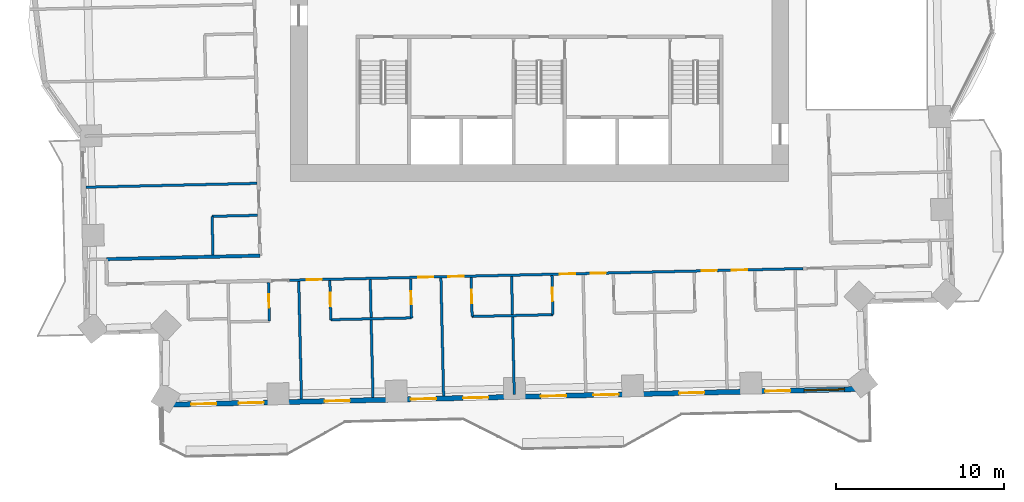
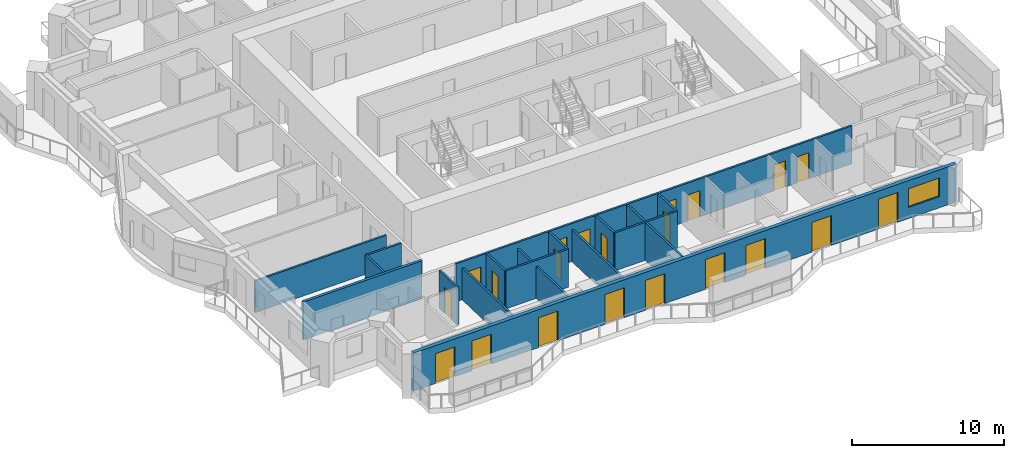
# One storey, part 6 of 16: 21 doors, 17 walls, 1 window, 22 openings.
"""IFC4 building model written with IfcOpenShell, lengths in metres."""

from ifc_helpers import new_model, si_unit, direction, frame, frame_2d, origin, place, context, subcontext, project, spatial, rectangle, extrude, material, layer, layer_set, type_object, element, fill, save


model = new_model("IFC4")

# Units and contexts
model_context = context("Model", 3, precision=1e-05, world=origin(), true_north=direction((0.0, 1.0)))
body_context = subcontext(model_context, "Body", "Model", "MODEL_VIEW")
ifc_project = project(units=[si_unit("LENGTHUNIT", "METRE"), si_unit("AREAUNIT", "SQUARE_METRE"), si_unit("VOLUMEUNIT", "CUBIC_METRE"), si_unit("PLANEANGLEUNIT", "RADIAN"), si_unit("MASSUNIT", "GRAM", prefix="KILO")], contexts=[model_context])

# Site, building, storey
site_placement = place(None, origin())
site = spatial("IfcSite", under=ifc_project, at=site_placement, CompositionType="ELEMENT")
building_placement = place(site_placement, origin())
building = spatial("IfcBuilding", under=site, at=building_placement, Name="Mangrove Gate Tower", CompositionType="ELEMENT")
storey_placement = place(building_placement, frame((0.0, 0.0, 130.10009765625)))
storey = spatial("IfcBuildingStorey", under=building, at=storey_placement, Name="L32", CompositionType="ELEMENT", Elevation=130.10009765625)

# Wall
ifc_material_1 = material(Name="Gypsum board on steel stud, EI 60", Category="steel")
ifc_layer_1 = layer(ifc_material_1, 0.199951171875)
ifc_layer_set_1 = layer_set([ifc_layer_1], Name="Corridor wall EI 60")
wall_type_1 = type_object("IfcWallType", Name="Corridor wall EI 60", PredefinedType="PARTITIONING", material=ifc_layer_set_1)
wall_1_placement = place(storey_placement, frame((-25.742919921875, -16.422119140625, 0.0), z_axis=(0.0, 0.0, 1.0), x_axis=(0.999741076645, 0.022754772455, 0.0)))
element("IfcWall", 1, at=wall_1_placement, inside=storey, type_object=wall_type_1, Name="WALL-L32-036", PredefinedType="PARTITIONING", context=body_context, shape_type="SweptSolid", body=[
    extrude(rectangle(XDim=9.141357421875, YDim=0.199951171875, at=frame_2d((4.57080078125, 0.0))), origin(), (0.0, 0.0, 1.0), 3.0498046875),
])

# Wall, openings, doors, window
ifc_material_2 = material(Name="Limestone", Category="masonry")
ifc_layer_2 = layer(ifc_material_2, 0.0400390625, Name="Limestone cladding")
ifc_material_3 = material(Name="Ventilated air gap")
ifc_layer_3 = layer(ifc_material_3, 0.0400390625, Name="Ventilated cavity")
ifc_material_4 = material(Name="Mineral wool insulation")
ifc_layer_4 = layer(ifc_material_4, 0.06005859375, Name="Insulation")
ifc_material_5 = material(Name="Breather membrane")
ifc_layer_5 = layer(ifc_material_5, 0.001953125, Name="Breather membrane")
ifc_material_6 = material(Name="Concrete C20/25 blockwork", Category="masonry")
ifc_layer_6 = layer(ifc_material_6, 0.14990234375, Name="Blockwork backing wall")
ifc_material_7 = material(Name="Gypsum plaster")
ifc_layer_7 = layer(ifc_material_7, 0.008056640625, Name="Internal plaster")
ifc_layer_set_2 = layer_set([ifc_layer_2, ifc_layer_3, ifc_layer_4, ifc_layer_5, ifc_layer_6, ifc_layer_7], Name="External wall 300 limestone cladding")
wall_type_2 = type_object("IfcWallType", Name="External wall 300 limestone cladding", PredefinedType="SOLIDWALL", material=ifc_layer_set_2)
wall_2_placement = place(storey_placement, frame((-22.39599609375, -25.077880859375, 0.0), z_axis=(0.0, 0.0, 1.0), x_axis=(0.99974279854, 0.022678993965, 0.0)))
wall_2 = element("IfcWall", 2, at=wall_2_placement, inside=storey, type_object=wall_type_2, Name="WALL-L32-S13", PredefinedType="SOLIDWALL", context=body_context, shape_type="SweptSolid", body=[
    extrude(rectangle(XDim=41.84375, YDim=0.300048828125, at=frame_2d((20.921875, 0.0))), origin(), (0.0, 0.0, 1.0), 3.0498046875),
])
opening_1_placement = place(wall_2_placement, frame((1.696044921875, 0.0, 0.0)))
opening_1 = element("IfcOpeningElement", 3, at=opening_1_placement, cuts=wall_2, Name="Opening BD1", PredefinedType="OPENING", context=body_context, shape_type="SweptSolid", body=[
    extrude(rectangle(XDim=1.5, YDim=2.39990234375, at=frame_2d((0.75, 1.199951171875))), frame((0.0, 0.159912109375, 0.0), z_axis=(0.0, -1.0, 0.0), x_axis=(1.0, 0.0, 0.0)), (0.0, 0.0, 1.0), 0.320068359375),
])
opening_2_placement = place(wall_2_placement, frame((4.511962890625, 0.0, 0.0)))
opening_2 = element("IfcOpeningElement", 4, at=opening_2_placement, cuts=wall_2, Name="Opening BD1", PredefinedType="OPENING", context=body_context, shape_type="SweptSolid", body=[
    extrude(rectangle(XDim=1.5, YDim=2.39990234375, at=frame_2d((0.75, 1.199951171875))), frame((0.0, 0.159912109375, 0.0), z_axis=(0.0, -1.0, 0.0), x_axis=(1.0, 0.0, 0.0)), (0.0, 0.0, 1.0), 0.320068359375),
])
opening_3_placement = place(wall_2_placement, frame((9.625, 0.0, 0.0)))
opening_3 = element("IfcOpeningElement", 5, at=opening_3_placement, cuts=wall_2, Name="Opening BD1", PredefinedType="OPENING", context=body_context, shape_type="SweptSolid", body=[
    extrude(rectangle(XDim=1.5, YDim=2.39990234375, at=frame_2d((0.75, 1.199951171875))), frame((0.0, 0.159912109375, 0.0), z_axis=(0.0, -1.0, 0.0), x_axis=(1.0, 0.0, 0.0)), (0.0, 0.0, 1.0), 0.320068359375),
])
opening_4_placement = place(wall_2_placement, frame((14.7490234375, 0.0, 0.0)))
opening_4 = element("IfcOpeningElement", 6, at=opening_4_placement, cuts=wall_2, Name="Opening BD1", PredefinedType="OPENING", context=body_context, shape_type="SweptSolid", body=[
    extrude(rectangle(XDim=1.5, YDim=2.39990234375, at=frame_2d((0.75, 1.199951171875))), frame((0.0, 0.159912109375, 0.0), z_axis=(0.0, -1.0, 0.0), x_axis=(1.0, 0.0, 0.0)), (0.0, 0.0, 1.0), 0.320068359375),
])
opening_5_placement = place(wall_2_placement, frame((17.861083984375, 0.0, 0.0)))
opening_5 = element("IfcOpeningElement", 7, at=opening_5_placement, cuts=wall_2, Name="Opening BD1", PredefinedType="OPENING", context=body_context, shape_type="SweptSolid", body=[
    extrude(rectangle(XDim=1.5, YDim=2.39990234375, at=frame_2d((0.75, 1.199951171875))), frame((0.0, 0.159912109375, 0.0), z_axis=(0.0, -1.0, 0.0), x_axis=(1.0, 0.0, 0.0)), (0.0, 0.0, 1.0), 0.320068359375),
])
opening_6_placement = place(wall_2_placement, frame((22.486083984375, 0.0, 0.0)))
opening_6 = element("IfcOpeningElement", 8, at=opening_6_placement, cuts=wall_2, Name="Opening BD1", PredefinedType="OPENING", context=body_context, shape_type="SweptSolid", body=[
    extrude(rectangle(XDim=1.5, YDim=2.39990234375, at=frame_2d((0.75, 1.199951171875))), frame((0.0, 0.159912109375, 0.0), z_axis=(0.0, -1.0, 0.0), x_axis=(1.0, 0.0, 0.0)), (0.0, 0.0, 1.0), 0.320068359375),
])
opening_7_placement = place(wall_2_placement, frame((25.597900390625, 0.0, 0.0)))
opening_7 = element("IfcOpeningElement", 9, at=opening_7_placement, cuts=wall_2, Name="Opening BD1", PredefinedType="OPENING", context=body_context, shape_type="SweptSolid", body=[
    extrude(rectangle(XDim=1.5, YDim=2.39990234375, at=frame_2d((0.75, 1.199951171875))), frame((0.0, 0.159912109375, 0.0), z_axis=(0.0, -1.0, 0.0), x_axis=(1.0, 0.0, 0.0)), (0.0, 0.0, 1.0), 0.320068359375),
])
opening_8_placement = place(wall_2_placement, frame((30.699951171875, 0.0, 0.0)))
opening_8 = element("IfcOpeningElement", 10, at=opening_8_placement, cuts=wall_2, Name="Opening BD1", PredefinedType="OPENING", context=body_context, shape_type="SweptSolid", body=[
    extrude(rectangle(XDim=1.5, YDim=2.39990234375, at=frame_2d((0.75, 1.199951171875))), frame((0.0, 0.159912109375, 0.0), z_axis=(0.0, -1.0, 0.0), x_axis=(1.0, 0.0, 0.0)), (0.0, 0.0, 1.0), 0.320068359375),
])
opening_9_placement = place(wall_2_placement, frame((35.81005859375, 0.0, 0.0)))
opening_9 = element("IfcOpeningElement", 11, at=opening_9_placement, cuts=wall_2, Name="Opening BD1", PredefinedType="OPENING", context=body_context, shape_type="SweptSolid", body=[
    extrude(rectangle(XDim=1.5, YDim=2.39990234375, at=frame_2d((0.75, 1.199951171875))), frame((0.0, 0.159912109375, 0.0), z_axis=(0.0, -1.0, 0.0), x_axis=(1.0, 0.0, 0.0)), (0.0, 0.0, 1.0), 0.320068359375),
])
opening_10_placement = place(wall_2_placement, frame((38.1240234375, 0.0, 0.89990234375)))
opening_10 = element("IfcOpeningElement", 12, at=opening_10_placement, cuts=wall_2, Name="Opening W2", PredefinedType="OPENING", context=body_context, shape_type="SweptSolid", body=[
    extrude(rectangle(XDim=2.39990234375, YDim=1.5, at=frame_2d((1.199951171875, 0.75))), frame((0.0, 0.159912109375, 0.0), z_axis=(0.0, -1.0, 0.0), x_axis=(1.0, 0.0, 0.0)), (0.0, 0.0, 1.0), 0.320068359375),
])
ifc_material_8 = material(Name="Aluminium frame with laminated clear glass", Category="aluminium")
door_type_1 = type_object("IfcDoorType", Name="Balcony sliding door 1500x2400", OperationType="SLIDING_TO_LEFT", PredefinedType="DOOR", material=ifc_material_8)
door_1_placement = place(opening_1_placement, origin())
door_1 = element("IfcDoor", 13, at=door_1_placement, inside=storey, type_object=door_type_1, Name="DOOR-L32-S13-1", OperationType="SLIDING_TO_LEFT", OverallHeight=2.39990234375, OverallWidth=1.5, PredefinedType="DOOR", context=body_context, shape_type="SweptSolid", body=[
    extrude(rectangle(XDim=1.5, YDim=2.39990234375, at=frame_2d((0.75, 1.199951171875))), frame((0.0, 0.02490234375, 0.0), z_axis=(0.0, -1.0, 0.0), x_axis=(1.0, 0.0, 0.0)), (0.0, 0.0, 1.0), 0.050048828125),
])
fill(opening_1, door_1)
door_2_placement = place(opening_2_placement, origin())
door_2 = element("IfcDoor", 14, at=door_2_placement, inside=storey, type_object=door_type_1, Name="DOOR-L32-S13-2", OperationType="SLIDING_TO_LEFT", OverallHeight=2.39990234375, OverallWidth=1.5, PredefinedType="DOOR", context=body_context, shape_type="SweptSolid", body=[
    extrude(rectangle(XDim=1.5, YDim=2.39990234375, at=frame_2d((0.75, 1.199951171875))), frame((0.0, 0.02490234375, 0.0), z_axis=(0.0, -1.0, 0.0), x_axis=(1.0, 0.0, 0.0)), (0.0, 0.0, 1.0), 0.050048828125),
])
fill(opening_2, door_2)
door_3_placement = place(opening_3_placement, origin())
door_3 = element("IfcDoor", 15, at=door_3_placement, inside=storey, type_object=door_type_1, Name="DOOR-L32-S13-3", OperationType="SLIDING_TO_LEFT", OverallHeight=2.39990234375, OverallWidth=1.5, PredefinedType="DOOR", context=body_context, shape_type="SweptSolid", body=[
    extrude(rectangle(XDim=1.5, YDim=2.39990234375, at=frame_2d((0.75, 1.199951171875))), frame((0.0, 0.02490234375, 0.0), z_axis=(0.0, -1.0, 0.0), x_axis=(1.0, 0.0, 0.0)), (0.0, 0.0, 1.0), 0.050048828125),
])
fill(opening_3, door_3)
door_4_placement = place(opening_4_placement, origin())
door_4 = element("IfcDoor", 16, at=door_4_placement, inside=storey, type_object=door_type_1, Name="DOOR-L32-S13-4", OperationType="SLIDING_TO_LEFT", OverallHeight=2.39990234375, OverallWidth=1.5, PredefinedType="DOOR", context=body_context, shape_type="SweptSolid", body=[
    extrude(rectangle(XDim=1.5, YDim=2.39990234375, at=frame_2d((0.75, 1.199951171875))), frame((0.0, 0.02490234375, 0.0), z_axis=(0.0, -1.0, 0.0), x_axis=(1.0, 0.0, 0.0)), (0.0, 0.0, 1.0), 0.050048828125),
])
fill(opening_4, door_4)
door_5_placement = place(opening_5_placement, origin())
door_5 = element("IfcDoor", 17, at=door_5_placement, inside=storey, type_object=door_type_1, Name="DOOR-L32-S13-5", OperationType="SLIDING_TO_LEFT", OverallHeight=2.39990234375, OverallWidth=1.5, PredefinedType="DOOR", context=body_context, shape_type="SweptSolid", body=[
    extrude(rectangle(XDim=1.5, YDim=2.39990234375, at=frame_2d((0.75, 1.199951171875))), frame((0.0, 0.02490234375, 0.0), z_axis=(0.0, -1.0, 0.0), x_axis=(1.0, 0.0, 0.0)), (0.0, 0.0, 1.0), 0.050048828125),
])
fill(opening_5, door_5)
door_6_placement = place(opening_6_placement, origin())
door_6 = element("IfcDoor", 18, at=door_6_placement, inside=storey, type_object=door_type_1, Name="DOOR-L32-S13-6", OperationType="SLIDING_TO_LEFT", OverallHeight=2.39990234375, OverallWidth=1.5, PredefinedType="DOOR", context=body_context, shape_type="SweptSolid", body=[
    extrude(rectangle(XDim=1.5, YDim=2.39990234375, at=frame_2d((0.75, 1.199951171875))), frame((0.0, 0.02490234375, 0.0), z_axis=(0.0, -1.0, 0.0), x_axis=(1.0, 0.0, 0.0)), (0.0, 0.0, 1.0), 0.050048828125),
])
fill(opening_6, door_6)
door_7_placement = place(opening_7_placement, origin())
door_7 = element("IfcDoor", 19, at=door_7_placement, inside=storey, type_object=door_type_1, Name="DOOR-L32-S13-7", OperationType="SLIDING_TO_LEFT", OverallHeight=2.39990234375, OverallWidth=1.5, PredefinedType="DOOR", context=body_context, shape_type="SweptSolid", body=[
    extrude(rectangle(XDim=1.5, YDim=2.39990234375, at=frame_2d((0.75, 1.199951171875))), frame((0.0, 0.02490234375, 0.0), z_axis=(0.0, -1.0, 0.0), x_axis=(1.0, 0.0, 0.0)), (0.0, 0.0, 1.0), 0.050048828125),
])
fill(opening_7, door_7)
door_8_placement = place(opening_8_placement, origin())
door_8 = element("IfcDoor", 20, at=door_8_placement, inside=storey, type_object=door_type_1, Name="DOOR-L32-S13-8", OperationType="SLIDING_TO_LEFT", OverallHeight=2.39990234375, OverallWidth=1.5, PredefinedType="DOOR", context=body_context, shape_type="SweptSolid", body=[
    extrude(rectangle(XDim=1.5, YDim=2.39990234375, at=frame_2d((0.75, 1.199951171875))), frame((0.0, 0.02490234375, 0.0), z_axis=(0.0, -1.0, 0.0), x_axis=(1.0, 0.0, 0.0)), (0.0, 0.0, 1.0), 0.050048828125),
])
fill(opening_8, door_8)
door_9_placement = place(opening_9_placement, origin())
door_9 = element("IfcDoor", 21, at=door_9_placement, inside=storey, type_object=door_type_1, Name="DOOR-L32-S13-9", OperationType="SLIDING_TO_LEFT", OverallHeight=2.39990234375, OverallWidth=1.5, PredefinedType="DOOR", context=body_context, shape_type="SweptSolid", body=[
    extrude(rectangle(XDim=1.5, YDim=2.39990234375, at=frame_2d((0.75, 1.199951171875))), frame((0.0, 0.02490234375, 0.0), z_axis=(0.0, -1.0, 0.0), x_axis=(1.0, 0.0, 0.0)), (0.0, 0.0, 1.0), 0.050048828125),
])
fill(opening_9, door_9)
ifc_material_9 = material(Name="Aluminium frame with double-glazed low-e glass", Category="aluminium")
window_type = type_object("IfcWindowType", Name="Corner room window 2400x1500", PartitioningType="DOUBLE_PANEL_VERTICAL", PredefinedType="WINDOW", material=ifc_material_9)
window_placement = place(opening_10_placement, origin())
window = element("IfcWindow", 22, at=window_placement, inside=storey, type_object=window_type, Name="WIN-L32-S13-10", OverallHeight=1.5, OverallWidth=2.39990234375, PartitioningType="DOUBLE_PANEL_VERTICAL", PredefinedType="WINDOW", context=body_context, shape_type="SweptSolid", body=[
    extrude(rectangle(XDim=2.39990234375, YDim=1.5, at=frame_2d((1.199951171875, 0.75))), frame((0.0, 0.030029296875, 0.0), z_axis=(0.0, -1.0, 0.0), x_axis=(1.0, 0.0, 0.0)), (0.0, 0.0, 1.0), 0.06005859375),
])
fill(opening_10, window)

# Walls
ifc_material_10 = material(Name="Gypsum board on steel stud, EI 60", Category="steel")
ifc_layer_8 = layer(ifc_material_10, 0.14990234375)
ifc_layer_set_3 = layer_set([ifc_layer_8], Name="Party wall 150 EI 60")
wall_type_3 = type_object("IfcWallType", Name="Party wall 150 EI 60", PredefinedType="PARTITIONING", material=ifc_layer_set_3)
for number, where, z_axis, x_axis, name in (
    (23, (-14.14892578125, -24.740966796875, 0.0), (0.0, 0.0, 1.0), (-0.022734078158, 0.999741547446, 0.0), "WALL-L32-002"),
    (24, (-9.89990234375, -24.64501953125, 0.0), (0.0, 0.0, 1.0), (-0.022734078158, 0.999741547446, 0.0), "WALL-L32-003"),
):
    element("IfcWall", number, at=place(storey_placement, frame(where, z_axis=z_axis, x_axis=x_axis)), inside=storey, type_object=wall_type_3, Name=name, PredefinedType="PARTITIONING", context=body_context, shape_type="SweptSolid", body=[
        extrude(rectangle(XDim=7.001708984375, YDim=0.14990234375, at=frame_2d((3.5009765625, 0.0))), origin(), (0.0, 0.0, 1.0), 2.5498046875),
    ])
wall_3_placement = place(storey_placement, frame((-5.701904296875, -24.549072265625, 0.0), z_axis=(0.0, 0.0, 1.0), x_axis=(-0.022597827698, 0.999744636486, 0.0)))
element("IfcWall", 25, at=wall_3_placement, inside=storey, type_object=wall_type_3, Name="WALL-L32-004", PredefinedType="PARTITIONING", context=body_context, shape_type="SweptSolid", body=[
    extrude(rectangle(XDim=7.000732421875, YDim=0.14990234375, at=frame_2d((3.50048828125, 0.0))), origin(), (0.0, 0.0, 1.0), 2.5498046875),
])
wall_4_placement = place(storey_placement, frame((-1.5029296875, -24.4541015625, 0.0), z_axis=(0.0, 0.0, 1.0), x_axis=(-0.02255982614, 0.999745494736, 0.0)))
element("IfcWall", 26, at=wall_4_placement, inside=storey, type_object=wall_type_3, Name="WALL-L32-005", PredefinedType="PARTITIONING", context=body_context, shape_type="SweptSolid", body=[
    extrude(rectangle(XDim=7.001708984375, YDim=0.14990234375, at=frame_2d((3.5009765625, 0.0))), origin(), (0.0, 0.0, 1.0), 3.0498046875),
])

# Wall, opening, door
wall_5_placement = place(storey_placement, frame((-16.054931640625, -20.10693359375, 0.0), z_axis=(0.0, 0.0, 1.0), x_axis=(-0.022603288534, 0.999744513037, 0.0)))
wall_5 = element("IfcWall", 27, at=wall_5_placement, inside=storey, type_object=wall_type_3, Name="WALL-L32-010", PredefinedType="PARTITIONING", context=body_context, shape_type="SweptSolid", body=[
    extrude(rectangle(XDim=2.300537109375, YDim=0.14990234375, at=frame_2d((1.150390625, 0.0))), origin(), (0.0, 0.0, 1.0), 3.0498046875),
])
opening_11_placement = place(wall_5_placement, frame((0.800048828125, 0.0, 0.0)))
opening_11 = element("IfcOpeningElement", 28, at=opening_11_placement, cuts=wall_5, Name="Opening ED", PredefinedType="OPENING", context=body_context, shape_type="SweptSolid", body=[
    extrude(rectangle(XDim=0.800048828125, YDim=2.10009765625, at=frame_2d((0.39990234375, 1.050048828125))), frame((0.0, 0.0849609375, 0.0), z_axis=(0.0, -1.0, 0.0), x_axis=(1.0, 0.0, 0.0)), (0.0, 0.0, 1.0), 0.169921875),
])
ifc_material_11 = material(Name="Timber door leaf", Category="wood")
door_type_2 = type_object("IfcDoorType", Name="En-suite door 800", OperationType="SINGLE_SWING_LEFT", PredefinedType="DOOR", material=ifc_material_11)
door_10_placement = place(opening_11_placement, origin())
door_10 = element("IfcDoor", 29, at=door_10_placement, inside=storey, type_object=door_type_2, Name="DOOR-L32-ENS-c101", OperationType="SINGLE_SWING_LEFT", OverallHeight=2.10009765625, OverallWidth=0.800048828125, PredefinedType="DOOR", context=body_context, shape_type="SweptSolid", body=[
    extrude(rectangle(XDim=0.800048828125, YDim=2.10009765625, at=frame_2d((0.39990234375, 1.050048828125))), frame((0.0, 0.02490234375, 0.0), z_axis=(0.0, -1.0, 0.0), x_axis=(1.0, 0.0, 0.0)), (0.0, 0.0, 1.0), 0.050048828125),
])
fill(opening_11, door_10)

wall_6_placement = place(storey_placement, frame((-12.406005859375, -20.02392578125, 0.0), z_axis=(0.0, 0.0, 1.0), x_axis=(-0.022781023197, 0.999740478815, 0.0)))
wall_6 = element("IfcWall", 30, at=wall_6_placement, inside=storey, type_object=wall_type_3, Name="WALL-L32-011", PredefinedType="PARTITIONING", context=body_context, shape_type="SweptSolid", body=[
    extrude(rectangle(XDim=2.325439453125, YDim=0.14990234375, at=frame_2d((1.16259765625, 0.0))), origin(), (0.0, 0.0, 1.0), 3.0498046875),
])
opening_12_placement = place(wall_6_placement, frame((0.800048828125, 0.0, 0.0)))
opening_12 = element("IfcOpeningElement", 31, at=opening_12_placement, cuts=wall_6, Name="Opening ED", PredefinedType="OPENING", context=body_context, shape_type="SweptSolid", body=[
    extrude(rectangle(XDim=0.800048828125, YDim=2.10009765625, at=frame_2d((0.39990234375, 1.050048828125))), frame((0.0, 0.0849609375, 0.0), z_axis=(0.0, -1.0, 0.0), x_axis=(1.0, 0.0, 0.0)), (0.0, 0.0, 1.0), 0.169921875),
])
door_11_placement = place(opening_12_placement, origin())
door_11 = element("IfcDoor", 32, at=door_11_placement, inside=storey, type_object=door_type_2, Name="DOOR-L32-ENS-c102", OperationType="SINGLE_SWING_RIGHT", OverallHeight=2.10009765625, OverallWidth=0.800048828125, PredefinedType="DOOR", context=body_context, shape_type="SweptSolid", body=[
    extrude(rectangle(XDim=0.800048828125, YDim=2.10009765625, at=frame_2d((0.39990234375, 1.050048828125))), frame((0.0, 0.02490234375, 0.0), z_axis=(0.0, -1.0, 0.0), x_axis=(1.0, 0.0, 0.0)), (0.0, 0.0, 1.0), 0.050048828125),
])
fill(opening_12, door_11)

wall_7_placement = place(storey_placement, frame((-7.60693359375, -19.9150390625, 0.0), z_axis=(0.0, 0.0, 1.0), x_axis=(-0.02279059109, 0.999740260747, 0.0)))
wall_7 = element("IfcWall", 33, at=wall_7_placement, inside=storey, type_object=wall_type_3, Name="WALL-L32-012", PredefinedType="PARTITIONING", context=body_context, shape_type="SweptSolid", body=[
    extrude(rectangle(XDim=2.324462890625, YDim=0.14990234375, at=frame_2d((1.162109375, 0.0))), origin(), (0.0, 0.0, 1.0), 3.0498046875),
])
opening_13_placement = place(wall_7_placement, frame((0.800048828125, 0.0, 0.0)))
opening_13 = element("IfcOpeningElement", 34, at=opening_13_placement, cuts=wall_7, Name="Opening ED", PredefinedType="OPENING", context=body_context, shape_type="SweptSolid", body=[
    extrude(rectangle(XDim=0.800048828125, YDim=2.10009765625, at=frame_2d((0.39990234375, 1.050048828125))), frame((0.0, 0.0849609375, 0.0), z_axis=(0.0, -1.0, 0.0), x_axis=(1.0, 0.0, 0.0)), (0.0, 0.0, 1.0), 0.169921875),
])
door_12_placement = place(opening_13_placement, origin())
door_12 = element("IfcDoor", 35, at=door_12_placement, inside=storey, type_object=door_type_2, Name="DOOR-L32-ENS-c103", OperationType="SINGLE_SWING_LEFT", OverallHeight=2.10009765625, OverallWidth=0.800048828125, PredefinedType="DOOR", context=body_context, shape_type="SweptSolid", body=[
    extrude(rectangle(XDim=0.800048828125, YDim=2.10009765625, at=frame_2d((0.39990234375, 1.050048828125))), frame((0.0, 0.02490234375, 0.0), z_axis=(0.0, -1.0, 0.0), x_axis=(1.0, 0.0, 0.0)), (0.0, 0.0, 1.0), 0.050048828125),
])
fill(opening_13, door_12)

wall_8_placement = place(storey_placement, frame((-4.008056640625, -19.8330078125, 0.0), z_axis=(0.0, 0.0, 1.0), x_axis=(-0.02279059109, 0.999740260747, 0.0)))
wall_8 = element("IfcWall", 36, at=wall_8_placement, inside=storey, type_object=wall_type_3, Name="WALL-L32-013", PredefinedType="PARTITIONING", context=body_context, shape_type="SweptSolid", body=[
    extrude(rectangle(XDim=2.324462890625, YDim=0.14990234375, at=frame_2d((1.162109375, 0.0))), origin(), (0.0, 0.0, 1.0), 3.0498046875),
])
opening_14_placement = place(wall_8_placement, frame((0.800048828125, 0.0, 0.0)))
opening_14 = element("IfcOpeningElement", 37, at=opening_14_placement, cuts=wall_8, Name="Opening ED", PredefinedType="OPENING", context=body_context, shape_type="SweptSolid", body=[
    extrude(rectangle(XDim=0.800048828125, YDim=2.10009765625, at=frame_2d((0.39990234375, 1.050048828125))), frame((0.0, 0.0849609375, 0.0), z_axis=(0.0, -1.0, 0.0), x_axis=(1.0, 0.0, 0.0)), (0.0, 0.0, 1.0), 0.169921875),
])
door_13_placement = place(opening_14_placement, origin())
door_13 = element("IfcDoor", 38, at=door_13_placement, inside=storey, type_object=door_type_2, Name="DOOR-L32-ENS-c204", OperationType="SINGLE_SWING_RIGHT", OverallHeight=2.10009765625, OverallWidth=0.800048828125, PredefinedType="DOOR", context=body_context, shape_type="SweptSolid", body=[
    extrude(rectangle(XDim=0.800048828125, YDim=2.10009765625, at=frame_2d((0.39990234375, 1.050048828125))), frame((0.0, 0.02490234375, 0.0), z_axis=(0.0, -1.0, 0.0), x_axis=(1.0, 0.0, 0.0)), (0.0, 0.0, 1.0), 0.050048828125),
])
fill(opening_14, door_13)

wall_9_placement = place(storey_placement, frame((0.791015625, -19.72412109375, 0.0), z_axis=(0.0, 0.0, 1.0), x_axis=(-0.022788198363, 0.99974031529, 0.0)))
wall_9 = element("IfcWall", 39, at=wall_9_placement, inside=storey, type_object=wall_type_3, Name="WALL-L32-014", PredefinedType="PARTITIONING", context=body_context, shape_type="SweptSolid", body=[
    extrude(rectangle(XDim=2.32470703125, YDim=0.14990234375, at=frame_2d((1.162353515625, 0.0))), origin(), (0.0, 0.0, 1.0), 3.0498046875),
])
opening_15_placement = place(wall_9_placement, frame((0.800048828125, 0.0, 0.0)))
opening_15 = element("IfcOpeningElement", 40, at=opening_15_placement, cuts=wall_9, Name="Opening ED", PredefinedType="OPENING", context=body_context, shape_type="SweptSolid", body=[
    extrude(rectangle(XDim=0.800048828125, YDim=2.10009765625, at=frame_2d((0.39990234375, 1.050048828125))), frame((0.0, 0.0849609375, 0.0), z_axis=(0.0, -1.0, 0.0), x_axis=(1.0, 0.0, 0.0)), (0.0, 0.0, 1.0), 0.169921875),
])
door_14_placement = place(opening_15_placement, origin())
door_14 = element("IfcDoor", 41, at=door_14_placement, inside=storey, type_object=door_type_2, Name="DOOR-L32-ENS-c205", OperationType="SINGLE_SWING_LEFT", OverallHeight=2.10009765625, OverallWidth=0.800048828125, PredefinedType="DOOR", context=body_context, shape_type="SweptSolid", body=[
    extrude(rectangle(XDim=0.800048828125, YDim=2.10009765625, at=frame_2d((0.39990234375, 1.050048828125))), frame((0.0, 0.02490234375, 0.0), z_axis=(0.0, -1.0, 0.0), x_axis=(1.0, 0.0, 0.0)), (0.0, 0.0, 1.0), 0.050048828125),
])
fill(opening_15, door_14)

# Walls
for number, where, z_axis, x_axis, name in (
    (42, (-12.407958984375, -20.02001953125, 0.0), (0.0, 0.0, 1.0), (0.99974154664, 0.022734113616, 0.0), "WALL-L32-019"),
    (43, (-4.010009765625, -19.8291015625, 0.0), (0.0, 0.0, 1.0), (0.99974154664, 0.022734113616, 0.0), "WALL-L32-020"),
):
    element("IfcWall", number, at=place(storey_placement, frame(where, z_axis=z_axis, x_axis=x_axis)), inside=storey, type_object=wall_type_3, Name=name, PredefinedType="PARTITIONING", context=body_context, shape_type="SweptSolid", body=[
        extrude(rectangle(XDim=4.80029296875, YDim=0.14990234375, at=frame_2d((2.400146484375, 0.0))), origin(), (0.0, 0.0, 1.0), 3.0498046875),
    ])

# Wall, openings, doors
wall_10_placement = place(storey_placement, frame((-14.87109375, -17.675048828125, 0.0), z_axis=(0.0, 0.0, 1.0), x_axis=(0.999742359486, 0.02269834024, 0.0)))
wall_10 = element("IfcWall", 44, at=wall_10_placement, inside=storey, type_object=wall_type_3, Name="WALL-L32-030", PredefinedType="PARTITIONING", context=body_context, shape_type="SweptSolid", body=[
    extrude(rectangle(XDim=30.535888671875, YDim=0.14990234375, at=frame_2d((15.26806640625, 0.0))), origin(), (0.0, 0.0, 1.0), 3.0498046875),
])
opening_16_placement = place(wall_10_placement, frame((1.033935546875, 0.0, 0.0)))
opening_16 = element("IfcOpeningElement", 45, at=opening_16_placement, cuts=wall_10, Name="Opening BD", PredefinedType="OPENING", context=body_context, shape_type="SweptSolid", body=[
    extrude(rectangle(XDim=0.89990234375, YDim=2.10009765625, at=frame_2d((0.449951171875, 1.050048828125))), frame((0.0, 0.0849609375, 0.0), z_axis=(0.0, -1.0, 0.0), x_axis=(1.0, 0.0, 0.0)), (0.0, 0.0, 1.0), 0.169921875),
])
opening_17_placement = place(wall_10_placement, frame((7.658935546875, 0.0, 0.0)))
opening_17 = element("IfcOpeningElement", 46, at=opening_17_placement, cuts=wall_10, Name="Opening BD", PredefinedType="OPENING", context=body_context, shape_type="SweptSolid", body=[
    extrude(rectangle(XDim=0.89990234375, YDim=2.10009765625, at=frame_2d((0.449951171875, 1.050048828125))), frame((0.0, 0.0849609375, 0.0), z_axis=(0.0, -1.0, 0.0), x_axis=(1.0, 0.0, 0.0)), (0.0, 0.0, 1.0), 0.169921875),
])
opening_18_placement = place(wall_10_placement, frame((9.458984375, 0.0, 0.0)))
opening_18 = element("IfcOpeningElement", 47, at=opening_18_placement, cuts=wall_10, Name="Opening BD", PredefinedType="OPENING", context=body_context, shape_type="SweptSolid", body=[
    extrude(rectangle(XDim=0.89990234375, YDim=2.10009765625, at=frame_2d((0.449951171875, 1.050048828125))), frame((0.0, 0.0849609375, 0.0), z_axis=(0.0, -1.0, 0.0), x_axis=(1.0, 0.0, 0.0)), (0.0, 0.0, 1.0), 0.169921875),
])
opening_19_placement = place(wall_10_placement, frame((16.083984375, 0.0, 0.0)))
opening_19 = element("IfcOpeningElement", 48, at=opening_19_placement, cuts=wall_10, Name="Opening BD", PredefinedType="OPENING", context=body_context, shape_type="SweptSolid", body=[
    extrude(rectangle(XDim=0.89990234375, YDim=2.10009765625, at=frame_2d((0.449951171875, 1.050048828125))), frame((0.0, 0.0849609375, 0.0), z_axis=(0.0, -1.0, 0.0), x_axis=(1.0, 0.0, 0.0)), (0.0, 0.0, 1.0), 0.169921875),
])
opening_20_placement = place(wall_10_placement, frame((17.908935546875, 0.0, 0.0)))
opening_20 = element("IfcOpeningElement", 49, at=opening_20_placement, cuts=wall_10, Name="Opening BD", PredefinedType="OPENING", context=body_context, shape_type="SweptSolid", body=[
    extrude(rectangle(XDim=0.89990234375, YDim=2.10009765625, at=frame_2d((0.449951171875, 1.050048828125))), frame((0.0, 0.0849609375, 0.0), z_axis=(0.0, -1.0, 0.0), x_axis=(1.0, 0.0, 0.0)), (0.0, 0.0, 1.0), 0.169921875),
])
opening_21_placement = place(wall_10_placement, frame((24.509033203125, 0.0, 0.0)))
opening_21 = element("IfcOpeningElement", 50, at=opening_21_placement, cuts=wall_10, Name="Opening BD", PredefinedType="OPENING", context=body_context, shape_type="SweptSolid", body=[
    extrude(rectangle(XDim=0.89990234375, YDim=2.10009765625, at=frame_2d((0.449951171875, 1.050048828125))), frame((0.0, 0.0849609375, 0.0), z_axis=(0.0, -1.0, 0.0), x_axis=(1.0, 0.0, 0.0)), (0.0, 0.0, 1.0), 0.169921875),
])
opening_22_placement = place(wall_10_placement, frame((26.30908203125, 0.0, 0.0)))
opening_22 = element("IfcOpeningElement", 51, at=opening_22_placement, cuts=wall_10, Name="Opening BD", PredefinedType="OPENING", context=body_context, shape_type="SweptSolid", body=[
    extrude(rectangle(XDim=0.89990234375, YDim=2.10009765625, at=frame_2d((0.449951171875, 1.050048828125))), frame((0.0, 0.0849609375, 0.0), z_axis=(0.0, -1.0, 0.0), x_axis=(1.0, 0.0, 0.0)), (0.0, 0.0, 1.0), 0.169921875),
])
ifc_material_12 = material(Name="Timber door leaf", Category="wood")
door_type_3 = type_object("IfcDoorType", Name="Bedroom door 900", OperationType="SINGLE_SWING_LEFT", PredefinedType="DOOR", material=ifc_material_12)
door_15_placement = place(opening_16_placement, origin())
door_15 = element("IfcDoor", 52, at=door_15_placement, inside=storey, type_object=door_type_3, Name="DOOR-L32-BED-c102", OperationType="SINGLE_SWING_RIGHT", OverallHeight=2.10009765625, OverallWidth=0.89990234375, PredefinedType="DOOR", context=body_context, shape_type="SweptSolid", body=[
    extrude(rectangle(XDim=0.89990234375, YDim=2.10009765625, at=frame_2d((0.449951171875, 1.050048828125))), frame((0.0, 0.02490234375, 0.0), z_axis=(0.0, -1.0, 0.0), x_axis=(1.0, 0.0, 0.0)), (0.0, 0.0, 1.0), 0.050048828125),
])
fill(opening_16, door_15)
door_16_placement = place(opening_17_placement, origin())
door_16 = element("IfcDoor", 53, at=door_16_placement, inside=storey, type_object=door_type_3, Name="DOOR-L32-BED-c103", OperationType="SINGLE_SWING_LEFT", OverallHeight=2.10009765625, OverallWidth=0.89990234375, PredefinedType="DOOR", context=body_context, shape_type="SweptSolid", body=[
    extrude(rectangle(XDim=0.89990234375, YDim=2.10009765625, at=frame_2d((0.449951171875, 1.050048828125))), frame((0.0, 0.02490234375, 0.0), z_axis=(0.0, -1.0, 0.0), x_axis=(1.0, 0.0, 0.0)), (0.0, 0.0, 1.0), 0.050048828125),
])
fill(opening_17, door_16)
door_17_placement = place(opening_18_placement, origin())
door_17 = element("IfcDoor", 54, at=door_17_placement, inside=storey, type_object=door_type_3, Name="DOOR-L32-BED-c204", OperationType="SINGLE_SWING_RIGHT", OverallHeight=2.10009765625, OverallWidth=0.89990234375, PredefinedType="DOOR", context=body_context, shape_type="SweptSolid", body=[
    extrude(rectangle(XDim=0.89990234375, YDim=2.10009765625, at=frame_2d((0.449951171875, 1.050048828125))), frame((0.0, 0.02490234375, 0.0), z_axis=(0.0, -1.0, 0.0), x_axis=(1.0, 0.0, 0.0)), (0.0, 0.0, 1.0), 0.050048828125),
])
fill(opening_18, door_17)
door_18_placement = place(opening_19_placement, origin())
door_18 = element("IfcDoor", 55, at=door_18_placement, inside=storey, type_object=door_type_3, Name="DOOR-L32-BED-c205", OperationType="SINGLE_SWING_LEFT", OverallHeight=2.10009765625, OverallWidth=0.89990234375, PredefinedType="DOOR", context=body_context, shape_type="SweptSolid", body=[
    extrude(rectangle(XDim=0.89990234375, YDim=2.10009765625, at=frame_2d((0.449951171875, 1.050048828125))), frame((0.0, 0.02490234375, 0.0), z_axis=(0.0, -1.0, 0.0), x_axis=(1.0, 0.0, 0.0)), (0.0, 0.0, 1.0), 0.050048828125),
])
fill(opening_19, door_18)
door_19_placement = place(opening_20_placement, origin())
door_19 = element("IfcDoor", 56, at=door_19_placement, inside=storey, type_object=door_type_3, Name="DOOR-L32-BED-c206", OperationType="SINGLE_SWING_RIGHT", OverallHeight=2.10009765625, OverallWidth=0.89990234375, PredefinedType="DOOR", context=body_context, shape_type="SweptSolid", body=[
    extrude(rectangle(XDim=0.89990234375, YDim=2.10009765625, at=frame_2d((0.449951171875, 1.050048828125))), frame((0.0, 0.02490234375, 0.0), z_axis=(0.0, -1.0, 0.0), x_axis=(1.0, 0.0, 0.0)), (0.0, 0.0, 1.0), 0.050048828125),
])
fill(opening_20, door_19)
door_20_placement = place(opening_21_placement, origin())
door_20 = element("IfcDoor", 57, at=door_20_placement, inside=storey, type_object=door_type_3, Name="DOOR-L32-BED-c307", OperationType="SINGLE_SWING_LEFT", OverallHeight=2.10009765625, OverallWidth=0.89990234375, PredefinedType="DOOR", context=body_context, shape_type="SweptSolid", body=[
    extrude(rectangle(XDim=0.89990234375, YDim=2.10009765625, at=frame_2d((0.449951171875, 1.050048828125))), frame((0.0, 0.02490234375, 0.0), z_axis=(0.0, -1.0, 0.0), x_axis=(1.0, 0.0, 0.0)), (0.0, 0.0, 1.0), 0.050048828125),
])
fill(opening_21, door_20)
door_21_placement = place(opening_22_placement, origin())
door_21 = element("IfcDoor", 58, at=door_21_placement, inside=storey, type_object=door_type_3, Name="DOOR-L32-BED-c308", OperationType="SINGLE_SWING_RIGHT", OverallHeight=2.10009765625, OverallWidth=0.89990234375, PredefinedType="DOOR", context=body_context, shape_type="SweptSolid", body=[
    extrude(rectangle(XDim=0.89990234375, YDim=2.10009765625, at=frame_2d((0.449951171875, 1.050048828125))), frame((0.0, 0.02490234375, 0.0), z_axis=(0.0, -1.0, 0.0), x_axis=(1.0, 0.0, 0.0)), (0.0, 0.0, 1.0), 0.050048828125),
])
fill(opening_22, door_21)

# Walls
wall_11_placement = place(storey_placement, frame((-19.405029296875, -16.181884765625, 0.0), z_axis=(0.0, 0.0, 1.0), x_axis=(-0.022605686808, 0.999744458811, 0.0)))
element("IfcWall", 59, at=wall_11_placement, inside=storey, type_object=wall_type_3, Name="WALL-L32-032", PredefinedType="PARTITIONING", context=body_context, shape_type="SweptSolid", body=[
    extrude(rectangle(XDim=2.30029296875, YDim=0.14990234375, at=frame_2d((1.150146484375, 0.0))), origin(), (0.0, 0.0, 1.0), 3.0498046875),
])
wall_12_placement = place(storey_placement, frame((-19.4580078125, -13.8779296875, 0.0), z_axis=(0.0, 0.0, 1.0), x_axis=(0.999744396973, 0.02260842146, 0.0)))
element("IfcWall", 60, at=wall_12_placement, inside=storey, type_object=wall_type_3, Name="WALL-L32-039", PredefinedType="PARTITIONING", context=body_context, shape_type="SweptSolid", body=[
    extrude(rectangle(XDim=2.69970703125, YDim=0.14990234375, at=frame_2d((1.349853515625, 0.0))), origin(), (0.0, 0.0, 1.0), 3.0498046875),
])
wall_13_placement = place(storey_placement, frame((-26.94091796875, -12.14794921875, 0.0), z_axis=(0.0, 0.0, 1.0), x_axis=(0.999742841246, 0.022677111331, 0.0)))
element("IfcWall", 61, at=wall_13_placement, inside=storey, type_object=wall_type_3, Name="WALL-L32-041", PredefinedType="PARTITIONING", context=body_context, shape_type="SweptSolid", body=[
    extrude(rectangle(XDim=10.1416015625, YDim=0.14990234375, at=frame_2d((5.07080078125, 0.0))), origin(), (0.0, 0.0, 1.0), 2.5498046875),
])

save(model, "model.ifc")
